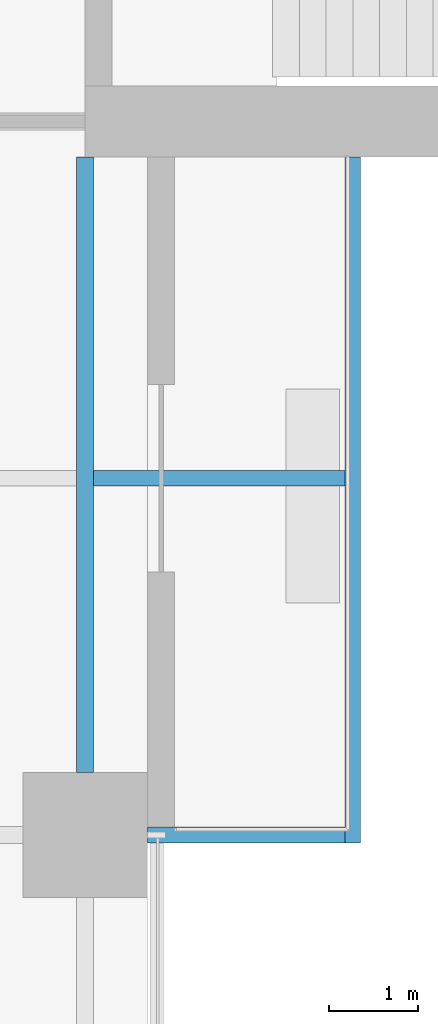
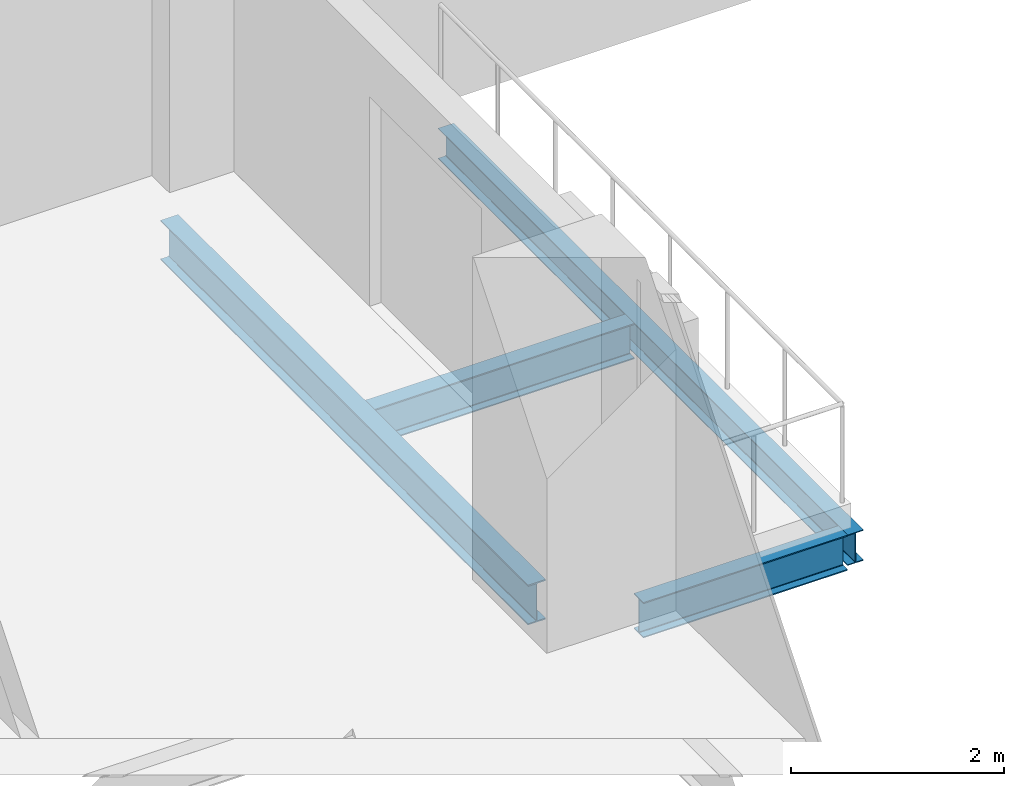
# One storey, part 5 of 27: 4 beams.
"""IFC4 building model written with IfcOpenShell, lengths in metres."""

from ifc_helpers import new_model, si_unit, direction, frame, origin, origin_2d, place, context, subcontext, project, spatial, i_section, extrude, material, material_profile, profile_set, type_object, element, save


model = new_model("IFC4")

# Units and contexts
model_context = context("Model", 3, precision=1e-05, world=origin(), true_north=direction((0.0, 1.0)))
body_context = subcontext(model_context, "Body", "Model", "MODEL_VIEW")
ifc_project = project(units=[si_unit("LENGTHUNIT", "METRE"), si_unit("AREAUNIT", "SQUARE_METRE"), si_unit("VOLUMEUNIT", "CUBIC_METRE"), si_unit("PLANEANGLEUNIT", "RADIAN"), si_unit("MASSUNIT", "GRAM", prefix="KILO")], contexts=[model_context])

# Site, building, storey
site_placement = place(None, origin())
site = spatial("IfcSite", under=ifc_project, at=site_placement, CompositionType="ELEMENT")
building_placement = place(site_placement, origin())
building = spatial("IfcBuilding", under=site, at=building_placement, Name="Crosswind Convention Tower", CompositionType="ELEMENT")
storey_placement = place(building_placement, frame((0.0, 0.0, 86.800048828125)))
storey = spatial("IfcBuildingStorey", under=building, at=storey_placement, Name="L16", CompositionType="ELEMENT", Elevation=86.800048828125)

# Beams
ifc_material = material(Name="Steel S355", Category="steel")
ifc_material_profile_1 = material_profile(ifc_material, i_section(OverallWidth=0.177734375, OverallDepth=0.406494140625, WebThickness=0.0078125, FlangeThickness=0.0126953125, FilletRadius=0.01025390625, at=origin_2d()), Name="UB 406x178x60")
ifc_profile_set_1 = profile_set([ifc_material_profile_1], Name="Steel S355")
beam_type_1 = type_object("IfcBeamType", Name="Balcony cantilever UB 406x178x60", PredefinedType="BEAM", material=ifc_profile_set_1)
beam_1_placement = place(storey_placement, frame((137.09521484375, 84.0, -0.483154296875), z_axis=(1.0, 0.0, 0.0), x_axis=(0.0, 1.0, 0.0)))
element("IfcBeam", 1, at=beam_1_placement, inside=storey, type_object=beam_type_1, Name="B35 L16 balcony cantilever SE 10", PredefinedType="BEAM", context=body_context, shape_type="SweptSolid", body=[
    extrude(i_section(OverallWidth=0.177734375, OverallDepth=0.406494140625, WebThickness=0.0078125, FlangeThickness=0.0126953125, FilletRadius=0.01025390625, at=origin_2d()), origin(), (0.0, 0.0, 1.0), 2.8193359375),
])
beam_2_placement = place(storey_placement, frame((137.699951171875, 80.0, -0.483154296875), z_axis=(1.0, 0.0, 0.0), x_axis=(0.0, 1.0, 0.0)))
element("IfcBeam", 2, at=beam_2_placement, inside=storey, type_object=beam_type_1, Name="B35 L16 balcony cantilever SE 11", PredefinedType="BEAM", context=body_context, shape_type="SweptSolid", body=[
    extrude(i_section(OverallWidth=0.177734375, OverallDepth=0.406494140625, WebThickness=0.0078125, FlangeThickness=0.0126953125, FilletRadius=0.01025390625, at=origin_2d()), origin(), (0.0, 0.0, 1.0), 2.214599609375),
])
ifc_material_profile_2 = material_profile(ifc_material, i_section(OverallWidth=0.1708984375, OverallDepth=0.35205078125, WebThickness=0.0068359375, FlangeThickness=0.009765625, FilletRadius=0.01025390625, at=origin_2d()), Name="UB 356x171x45")
ifc_profile_set_2 = profile_set([ifc_material_profile_2], Name="Steel S355")
beam_type_2 = type_object("IfcBeamType", Name="Balcony edge beam UB 356x171x45", PredefinedType="BEAM", material=ifc_profile_set_2)
beam_3_placement = place(storey_placement, frame((140.0, 87.60009765625, -0.4560546875), z_axis=(0.0, -1.0, 0.0), x_axis=(1.0, 0.0, 0.0)))
element("IfcBeam", 3, at=beam_3_placement, inside=storey, type_object=beam_type_2, Name="B37 L16 balcony edge beam SE 12", PredefinedType="BEAM", context=body_context, shape_type="SweptSolid", body=[
    extrude(i_section(OverallWidth=0.1708984375, OverallDepth=0.35205078125, WebThickness=0.0068359375, FlangeThickness=0.009765625, FilletRadius=0.01025390625, at=origin_2d()), origin(), (0.0, 0.0, 1.0), 7.68896484375),
])
ifc_material_profile_3 = material_profile(ifc_material, i_section(OverallWidth=0.1904296875, OverallDepth=0.457275390625, WebThickness=0.009033203125, FlangeThickness=0.014404296875, FilletRadius=0.01025390625, at=origin_2d()), Name="UB 457x191x75")
ifc_profile_set_3 = profile_set([ifc_material_profile_3], Name="Steel S355")
beam_type_3 = type_object("IfcBeamType", Name="Edge beam UB 457x191x75", PredefinedType="SPANDREL", material=ifc_profile_set_3)
beam_4_placement = place(storey_placement, frame((137.0, 80.699951171875, -0.508544921875), z_axis=(0.0, 1.0, 0.0), x_axis=(-1.0, 0.0, 0.0)))
element("IfcBeam", 4, at=beam_4_placement, inside=storey, type_object=beam_type_3, Name="B17 L16 edge beam 20", PredefinedType="SPANDREL", context=body_context, shape_type="SweptSolid", body=[
    extrude(i_section(OverallWidth=0.1904296875, OverallDepth=0.457275390625, WebThickness=0.009033203125, FlangeThickness=0.014404296875, FilletRadius=0.01025390625, at=origin_2d()), origin(), (0.0, 0.0, 1.0), 6.900146484375),
])

save(model, "model.ifc")
